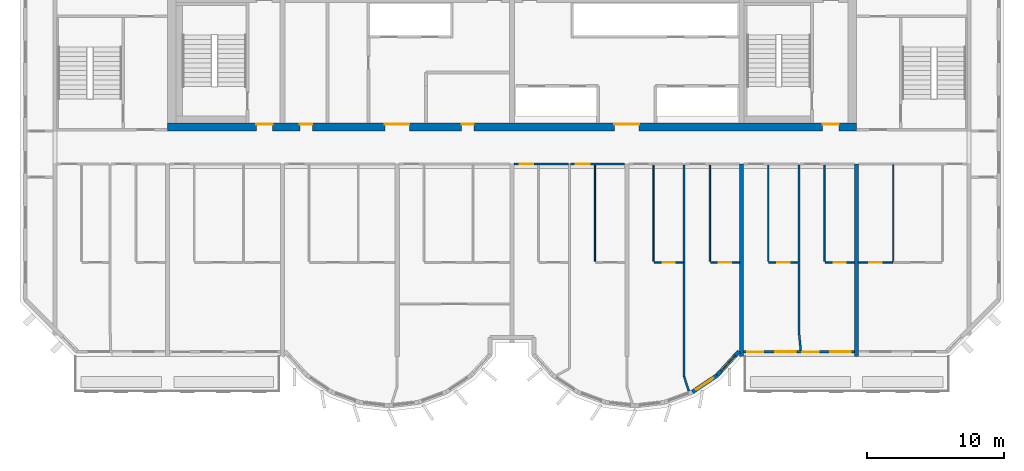
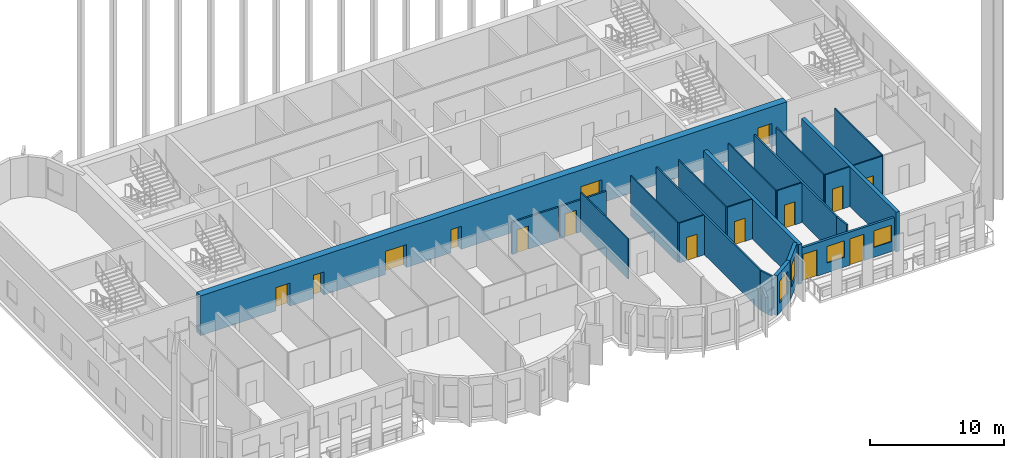
# One storey, part 5 of 13: 23 walls, 15 doors, 4 windows, 19 openings.
"""IFC4 building model written with IfcOpenShell, lengths in metres."""

from ifc_helpers import new_model, si_unit, direction, frame, frame_2d, origin, place, context, subcontext, project, spatial, rectangle, extrude, source, transform, mapped, material, layer, layer_set, type_object, element, fill, save


model = new_model("IFC4")

# Units and contexts
model_context = context("Model", 3, precision=1e-05, world=origin(), true_north=direction((0.0, 1.0)))
body_context = subcontext(model_context, "Body", "Model", "MODEL_VIEW")
ifc_project = project(units=[si_unit("LENGTHUNIT", "METRE"), si_unit("AREAUNIT", "SQUARE_METRE"), si_unit("VOLUMEUNIT", "CUBIC_METRE"), si_unit("PLANEANGLEUNIT", "RADIAN"), si_unit("MASSUNIT", "GRAM", prefix="KILO")], contexts=[model_context])

# Site, building, storey
site_placement = place(None, origin())
site = spatial("IfcSite", under=ifc_project, at=site_placement, CompositionType="ELEMENT")
building_placement = place(site_placement, origin())
building = spatial("IfcBuilding", under=site, at=building_placement, Name="Vanashikhar Sky Hotel", CompositionType="ELEMENT")
storey_placement = place(building_placement, frame((0.0, 0.0, 214.0)))
storey = spatial("IfcBuildingStorey", under=building, at=storey_placement, Name="L51", CompositionType="ELEMENT", Elevation=214.0)

# Wall, openings, doors
ifc_material_1 = material(Name="Concrete M60", Category="concrete")
ifc_layer_1 = layer(ifc_material_1, 0.60009765625)
ifc_layer_set_1 = layer_set([ifc_layer_1], Name="RC core shell wall 600 Concrete M60")
wall_type_1 = type_object("IfcWallType", Name="RC core shell wall 600 Concrete M60", PredefinedType="SHEAR", material=ifc_layer_set_1)
shared_shape_1 = source(origin(), body_context, "Body", "SweptSolid", [
    extrude(rectangle(XDim=50.400146484375, YDim=0.60009765625, at=frame_2d((25.2001953125, 0.0))), origin(), (0.0, 0.0, 1.0), 3.6201171875),
])
wall_1_placement = place(storey_placement, frame((25.199951171875, 22.300048828125, 0.0), z_axis=(0.0, 0.0, 1.0), x_axis=(1.0, 0.0, 0.0)))
wall_1 = element("IfcWall", 1, at=wall_1_placement, inside=storey, type_object=wall_type_1, Name="KW-L51-KS", PredefinedType="SHEAR", context=body_context, shape_type="MappedRepresentation", body=[
    mapped(shared_shape_1, transform((0.0, 0.0, 0.0), scale=1.0)),
])
shared_shape_2 = source(origin(), body_context, "Body", "SweptSolid", [
    extrude(rectangle(XDim=1.800048828125, YDim=2.10009765625, at=frame_2d((0.89990234375, 1.050048828125))), frame((0.0, 0.31005859375, 0.0), z_axis=(0.0, -1.0, 0.0), x_axis=(1.0, 0.0, 0.0)), (0.0, 0.0, 1.0), 0.6201171875),
])
opening_1_placement = place(wall_1_placement, frame((15.89990234375, 0.0, 0.0)))
opening_1 = element("IfcOpeningElement", 2, at=opening_1_placement, cuts=wall_1, Name="Opening DC-3-A", PredefinedType="OPENING", context=body_context, shape_type="MappedRepresentation", body=[
    mapped(shared_shape_2, transform((0.0, 0.0, 0.0), scale=1.0)),
])
shared_shape_3 = source(origin(), body_context, "Body", "SweptSolid", [
    extrude(rectangle(XDim=0.89990234375, YDim=2.10009765625, at=frame_2d((0.449951171875, 1.050048828125))), frame((0.0, 0.31005859375, 0.0), z_axis=(0.0, -1.0, 0.0), x_axis=(1.0, 0.0, 0.0)), (0.0, 0.0, 1.0), 0.6201171875),
])
opening_2_placement = place(wall_1_placement, frame((9.68701171875, 0.0, 0.0)))
opening_2 = element("IfcOpeningElement", 3, at=opening_2_placement, cuts=wall_1, Name="Opening DC-4-A", PredefinedType="OPENING", context=body_context, shape_type="MappedRepresentation", body=[
    mapped(shared_shape_3, transform((0.0, 0.0, 0.0), scale=1.0)),
])
opening_3_placement = place(wall_1_placement, frame((21.512939453125, 0.0, 0.0)))
opening_3 = element("IfcOpeningElement", 4, at=opening_3_placement, cuts=wall_1, Name="Opening DC-4-A", PredefinedType="OPENING", context=body_context, shape_type="MappedRepresentation", body=[
    mapped(shared_shape_3, transform((0.0, 0.0, 0.0), scale=1.0)),
])
opening_4_placement = place(wall_1_placement, frame((32.699951171875, 0.0, 0.0)))
opening_4 = element("IfcOpeningElement", 5, at=opening_4_placement, cuts=wall_1, Name="Opening DC-3-A", PredefinedType="OPENING", context=body_context, shape_type="MappedRepresentation", body=[
    mapped(shared_shape_2, transform((0.0, 0.0, 0.0), scale=1.0)),
])
shared_shape_4 = source(origin(), body_context, "Body", "SweptSolid", [
    extrude(rectangle(XDim=1.199951171875, YDim=2.10009765625, at=frame_2d((0.60009765625, 1.050048828125))), frame((0.0, 0.31005859375, 0.0), z_axis=(0.0, -1.0, 0.0), x_axis=(1.0, 0.0, 0.0)), (0.0, 0.0, 1.0), 0.6201171875),
])
opening_5_placement = place(wall_1_placement, frame((6.488037109375, 0.0, 0.0)))
opening_5 = element("IfcOpeningElement", 6, at=opening_5_placement, cuts=wall_1, Name="Opening DC-2", PredefinedType="OPENING", context=body_context, shape_type="MappedRepresentation", body=[
    mapped(shared_shape_4, transform((0.0, 0.0, 0.0), scale=1.0)),
])
opening_6_placement = place(wall_1_placement, frame((47.925048828125, 0.0, 0.0)))
opening_6 = element("IfcOpeningElement", 7, at=opening_6_placement, cuts=wall_1, Name="Opening DC-2", PredefinedType="OPENING", context=body_context, shape_type="MappedRepresentation", body=[
    mapped(shared_shape_4, transform((0.0, 0.0, 0.0), scale=1.0)),
])
ifc_material_2 = material(Name="Steel", Category="steel")
door_type_1 = type_object("IfcDoorType", Name="Firefighting lobby door 1200 FD120", OperationType="NOTDEFINED", PredefinedType="DOOR", material=ifc_material_2)
shared_shape_5 = source(origin(), body_context, "Body", "SweptSolid", [
    extrude(rectangle(XDim=1.199951171875, YDim=2.10009765625, at=frame_2d((0.60009765625, 1.050048828125))), frame((0.0, 0.22509765625, 0.0), z_axis=(0.0, -1.0, 0.0), x_axis=(1.0, 0.0, 0.0)), (0.0, 0.0, 1.0), 0.050048828125),
])
door_1_placement = place(opening_5_placement, origin())
door_1 = element("IfcDoor", 8, at=door_1_placement, inside=storey, type_object=door_type_1, Name="Firefighting lobby door 1200 FD120", OperationType="SINGLE_SWING_LEFT", OverallHeight=2.10009765625, OverallWidth=1.199951171875, PredefinedType="DOOR", context=body_context, shape_type="MappedRepresentation", body=[
    mapped(shared_shape_5, transform((0.0, 0.0, 0.0), scale=1.0)),
])
fill(opening_5, door_1)
door_2_placement = place(opening_6_placement, origin())
door_2 = element("IfcDoor", 9, at=door_2_placement, inside=storey, type_object=door_type_1, Name="Firefighting lobby door 1200 FD120", OperationType="SINGLE_SWING_LEFT", OverallHeight=2.10009765625, OverallWidth=1.199951171875, PredefinedType="DOOR", context=body_context, shape_type="MappedRepresentation", body=[
    mapped(shared_shape_5, transform((0.0, 0.0, 0.0), scale=1.0)),
])
fill(opening_6, door_2)
door_type_2 = type_object("IfcDoorType", Name="Service door 900 FD60", OperationType="NOTDEFINED", PredefinedType="DOOR", material=ifc_material_2)
shared_shape_6 = source(origin(), body_context, "Body", "SweptSolid", [
    extrude(rectangle(XDim=0.89990234375, YDim=2.10009765625, at=frame_2d((0.449951171875, 1.050048828125))), frame((0.0, 0.22509765625, 0.0), z_axis=(0.0, -1.0, 0.0), x_axis=(1.0, 0.0, 0.0)), (0.0, 0.0, 1.0), 0.050048828125),
])
door_3_placement = place(opening_2_placement, origin())
door_3 = element("IfcDoor", 10, at=door_3_placement, inside=storey, type_object=door_type_2, Name="Service door 900 FD60", OperationType="SINGLE_SWING_RIGHT", OverallHeight=2.10009765625, OverallWidth=0.89990234375, PredefinedType="DOOR", context=body_context, shape_type="MappedRepresentation", body=[
    mapped(shared_shape_6, transform((0.0, 0.0, 0.0), scale=1.0)),
])
fill(opening_2, door_3)
door_4_placement = place(opening_3_placement, origin())
door_4 = element("IfcDoor", 11, at=door_4_placement, inside=storey, type_object=door_type_2, Name="Service door 900 FD60", OperationType="SINGLE_SWING_LEFT", OverallHeight=2.10009765625, OverallWidth=0.89990234375, PredefinedType="DOOR", context=body_context, shape_type="MappedRepresentation", body=[
    mapped(shared_shape_6, transform((0.0, 0.0, 0.0), scale=1.0)),
])
fill(opening_3, door_4)
ifc_material_3 = material(Name="Glass", Category="glass")
door_type_3 = type_object("IfcDoorType", Name="Lift lobby entrance door 1800 FD30S", OperationType="NOTDEFINED", PredefinedType="DOOR", material=ifc_material_3)
shared_shape_7 = source(origin(), body_context, "Body", "SweptSolid", [
    extrude(rectangle(XDim=1.800048828125, YDim=2.10009765625, at=frame_2d((0.89990234375, 1.050048828125))), frame((0.0, 0.22509765625, 0.0), z_axis=(0.0, -1.0, 0.0), x_axis=(1.0, 0.0, 0.0)), (0.0, 0.0, 1.0), 0.050048828125),
])
door_5_placement = place(opening_1_placement, origin())
door_5 = element("IfcDoor", 12, at=door_5_placement, inside=storey, type_object=door_type_3, Name="Lift lobby entrance door 1800 FD30S", OperationType="DOUBLE_DOOR_SINGLE_SWING", OverallHeight=2.10009765625, OverallWidth=1.800048828125, PredefinedType="DOOR", context=body_context, shape_type="MappedRepresentation", body=[
    mapped(shared_shape_7, transform((0.0, 0.0, 0.0), scale=1.0)),
])
fill(opening_1, door_5)
door_6_placement = place(opening_4_placement, origin())
door_6 = element("IfcDoor", 13, at=door_6_placement, inside=storey, type_object=door_type_3, Name="Lift lobby entrance door 1800 FD30S", OperationType="DOUBLE_DOOR_SINGLE_SWING", OverallHeight=2.10009765625, OverallWidth=1.800048828125, PredefinedType="DOOR", context=body_context, shape_type="MappedRepresentation", body=[
    mapped(shared_shape_7, transform((0.0, 0.0, 0.0), scale=1.0)),
])
fill(opening_4, door_6)

# Walls
ifc_layer_2 = layer(ifc_material_1, 0.300048828125)
ifc_layer_set_2 = layer_set([ifc_layer_2], Name="RC shear wall 300 Concrete M60")
wall_type_2 = type_object("IfcWallType", Name="RC shear wall 300 Concrete M60", PredefinedType="SHEAR", material=ifc_layer_set_2)
shared_shape_8 = source(origin(), body_context, "Body", "SweptSolid", [
    extrude(rectangle(XDim=14.10009765625, YDim=0.300048828125, at=frame_2d((7.050048828125, 0.0))), origin(), (0.0, 0.0, 1.0), 3.6201171875),
])
for number, where, z_axis, x_axis, name in (
    (14, (67.199951171875, 5.5, 0.0), (0.0, 0.0, 1.0), (0.0, 1.0, 0.0), "CW-L51-XW09-1"),
    (15, (75.60009765625, 5.5, 0.0), (0.0, 0.0, 1.0), (0.0, 1.0, 0.0), "CW-L51-XW10-1"),
):
    element("IfcWall", number, at=place(storey_placement, frame(where, z_axis=z_axis, x_axis=x_axis)), inside=storey, type_object=wall_type_2, Name=name, PredefinedType="SHEAR", context=body_context, shape_type="MappedRepresentation", body=[
        mapped(shared_shape_8, transform((0.0, 0.0, 0.0), scale=1.0)),
    ])

# Wall, openings, windows, doors
ifc_material_4 = material(Name="Concrete M50", Category="concrete")
ifc_layer_3 = layer(ifc_material_4, 0.199951171875)
ifc_layer_set_3 = layer_set([ifc_layer_3], Name="Front window wall 200")
wall_type_3 = type_object("IfcWallType", Name="Front window wall 200", PredefinedType="SOLIDWALL", material=ifc_layer_set_3)
shared_shape_9 = source(origin(), body_context, "Body", "SweptSolid", [
    extrude(rectangle(XDim=8.099853515625, YDim=0.199951171875, at=frame_2d((4.0498046875, 0.0))), origin(), (0.0, 0.0, 1.0), 3.02001953125),
])
wall_2_placement = place(storey_placement, frame((67.35009765625, 5.85009765625, 0.0), z_axis=(0.0, 0.0, 1.0), x_axis=(1.0, 0.0, 0.0)))
wall_2 = element("IfcWall", 16, at=wall_2_placement, inside=storey, type_object=wall_type_3, Name="Front window wall", PredefinedType="SOLIDWALL", context=body_context, shape_type="MappedRepresentation", body=[
    mapped(shared_shape_9, transform((0.0, 0.0, 0.0), scale=1.0)),
])
shared_shape_10 = source(origin(), body_context, "Body", "SweptSolid", [
    extrude(rectangle(XDim=1.199951171875, YDim=2.39990234375, at=frame_2d((0.60009765625, 1.199951171875))), frame((0.0, 0.10986328125, 0.0), z_axis=(0.0, -1.0, 0.0), x_axis=(1.0, 0.0, 0.0)), (0.0, 0.0, 1.0), 0.219970703125),
])
opening_7_placement = place(wall_2_placement, frame((0.25, 0.0, 0.0)))
opening_7 = element("IfcOpeningElement", 17, at=opening_7_placement, cuts=wall_2, Name="Opening BD-03", PredefinedType="OPENING", context=body_context, shape_type="MappedRepresentation", body=[
    mapped(shared_shape_10, transform((0.0, 0.0, 0.0), scale=1.0)),
])
shared_shape_11 = source(origin(), body_context, "Body", "SweptSolid", [
    extrude(rectangle(XDim=1.5, YDim=1.5, at=frame_2d((0.75, 0.75))), frame((0.0, 0.10986328125, 0.0), z_axis=(0.0, -1.0, 0.0), x_axis=(1.0, 0.0, 0.0)), (0.0, 0.0, 1.0), 0.219970703125),
])
opening_8_placement = place(wall_2_placement, frame((2.300048828125, 0.0, 0.89990234375)))
opening_8 = element("IfcOpeningElement", 18, at=opening_8_placement, cuts=wall_2, Name="Opening WN-1", PredefinedType="OPENING", context=body_context, shape_type="MappedRepresentation", body=[
    mapped(shared_shape_11, transform((0.0, 0.0, 0.0), scale=1.0)),
])
opening_9_placement = place(wall_2_placement, frame((4.300048828125, 0.0, 0.0)))
opening_9 = element("IfcOpeningElement", 19, at=opening_9_placement, cuts=wall_2, Name="Opening BD-04", PredefinedType="OPENING", context=body_context, shape_type="MappedRepresentation", body=[
    mapped(shared_shape_10, transform((0.0, 0.0, 0.0), scale=1.0)),
])
opening_10_placement = place(wall_2_placement, frame((6.35009765625, 0.0, 0.89990234375)))
opening_10 = element("IfcOpeningElement", 20, at=opening_10_placement, cuts=wall_2, Name="Opening WN-1", PredefinedType="OPENING", context=body_context, shape_type="MappedRepresentation", body=[
    mapped(shared_shape_11, transform((0.0, 0.0, 0.0), scale=1.0)),
])
window_type_1 = type_object("IfcWindowType", Name="Window 1500 x 1500", PartitioningType="SINGLE_PANEL", PredefinedType="WINDOW", material=ifc_material_3)
shared_shape_12 = source(origin(), body_context, "Body", "SweptSolid", [
    extrude(rectangle(XDim=1.5, YDim=1.5, at=frame_2d((0.75, 0.75))), frame((0.0, 0.030029296875, 0.0), z_axis=(0.0, -1.0, 0.0), x_axis=(1.0, 0.0, 0.0)), (0.0, 0.0, 1.0), 0.06005859375),
])
window_1_placement = place(opening_8_placement, origin())
window_1 = element("IfcWindow", 21, at=window_1_placement, inside=storey, type_object=window_type_1, Name="Window WN-1", OverallHeight=1.5, OverallWidth=1.5, PartitioningType="SINGLE_PANEL", PredefinedType="WINDOW", context=body_context, shape_type="MappedRepresentation", body=[
    mapped(shared_shape_12, transform((0.0, 0.0, 0.0), scale=1.0)),
])
fill(opening_8, window_1)
window_2_placement = place(opening_10_placement, origin())
window_2 = element("IfcWindow", 22, at=window_2_placement, inside=storey, type_object=window_type_1, Name="Window WN-1", OverallHeight=1.5, OverallWidth=1.5, PartitioningType="SINGLE_PANEL", PredefinedType="WINDOW", context=body_context, shape_type="MappedRepresentation", body=[
    mapped(shared_shape_12, transform((0.0, 0.0, 0.0), scale=1.0)),
])
fill(opening_10, window_2)
ifc_material_5 = material(Name="Aluminium", Category="aluminium")
door_type_4 = type_object("IfcDoorType", Name="Balcony sliding door 1200 x 2400", OperationType="NOTDEFINED", PredefinedType="DOOR", material=ifc_material_5)
shared_shape_13 = source(origin(), body_context, "Body", "SweptSolid", [
    extrude(rectangle(XDim=1.199951171875, YDim=2.39990234375, at=frame_2d((0.60009765625, 1.199951171875))), frame((0.0, 0.02490234375, 0.0), z_axis=(0.0, -1.0, 0.0), x_axis=(1.0, 0.0, 0.0)), (0.0, 0.0, 1.0), 0.050048828125),
])
door_7_placement = place(opening_7_placement, origin())
door_7 = element("IfcDoor", 23, at=door_7_placement, inside=storey, type_object=door_type_4, Name="Balcony sliding door", OperationType="SLIDING_TO_LEFT", OverallHeight=2.39990234375, OverallWidth=1.199951171875, PredefinedType="DOOR", context=body_context, shape_type="MappedRepresentation", body=[
    mapped(shared_shape_13, transform((0.0, 0.0, 0.0), scale=1.0)),
])
fill(opening_7, door_7)
door_8_placement = place(opening_9_placement, origin())
door_8 = element("IfcDoor", 24, at=door_8_placement, inside=storey, type_object=door_type_4, Name="Balcony sliding door", OperationType="SLIDING_TO_RIGHT", OverallHeight=2.39990234375, OverallWidth=1.199951171875, PredefinedType="DOOR", context=body_context, shape_type="MappedRepresentation", body=[
    mapped(shared_shape_13, transform((0.0, 0.0, 0.0), scale=1.0)),
])
fill(opening_9, door_8)

# Wall, opening, window
ifc_layer_4 = layer(ifc_material_4, 0.300048828125)
ifc_layer_set_4 = layer_set([ifc_layer_4], Name="Lobe wall 300")
wall_type_4 = type_object("IfcWallType", Name="Lobe wall 300", PredefinedType="SOLIDWALL", material=ifc_layer_set_4)
shared_shape_14 = source(origin(), body_context, "Body", "SweptSolid", [
    extrude(rectangle(XDim=2.398193359375, YDim=0.300048828125, at=frame_2d((1.19921875, 0.0))), origin(), (0.0, 0.0, 1.0), 3.6201171875),
])
wall_3_placement = place(storey_placement, frame((65.404296875, 4.13134765625, 0.0), z_axis=(0.0, 0.0, 1.0), x_axis=(0.675374189419, 0.737475222815, 0.0)))
wall_3 = element("IfcWall", 25, at=wall_3_placement, inside=storey, type_object=wall_type_4, Name="Lobe wall", PredefinedType="SOLIDWALL", context=body_context, shape_type="MappedRepresentation", body=[
    mapped(shared_shape_14, transform((0.0, 0.0, 0.0), scale=1.0)),
])
shared_shape_15 = source(origin(), body_context, "Body", "SweptSolid", [
    extrude(rectangle(XDim=1.5, YDim=2.0, at=frame_2d((0.75, 1.0))), frame((0.0, 0.16015625, 0.0), z_axis=(0.0, -1.0, 0.0), x_axis=(1.0, 0.0, 0.0)), (0.0, 0.0, 1.0), 0.320068359375),
])
opening_11_placement = place(wall_3_placement, frame((0.44921875, 0.0, 0.89990234375)))
opening_11 = element("IfcOpeningElement", 26, at=opening_11_placement, cuts=wall_3, Name="Opening WN-2", PredefinedType="OPENING", context=body_context, shape_type="MappedRepresentation", body=[
    mapped(shared_shape_15, transform((0.0, 0.0, 0.0), scale=1.0)),
])
window_type_2 = type_object("IfcWindowType", Name="Lobe window 1500 x 2000", PartitioningType="SINGLE_PANEL", PredefinedType="WINDOW", material=ifc_material_3)
shared_shape_16 = source(origin(), body_context, "Body", "SweptSolid", [
    extrude(rectangle(XDim=1.5, YDim=2.0, at=frame_2d((0.75, 1.0))), frame((0.0, 0.030029296875, 0.0), z_axis=(0.0, -1.0, 0.0), x_axis=(1.0, 0.0, 0.0)), (0.0, 0.0, 1.0), 0.06005859375),
])
window_3_placement = place(opening_11_placement, origin())
window_3 = element("IfcWindow", 27, at=window_3_placement, inside=storey, type_object=window_type_2, Name="Window WN-2", OverallHeight=2.0, OverallWidth=1.5, PartitioningType="SINGLE_PANEL", PredefinedType="WINDOW", context=body_context, shape_type="MappedRepresentation", body=[
    mapped(shared_shape_16, transform((0.0, 0.0, 0.0), scale=1.0)),
])
fill(opening_11, window_3)

shared_shape_17 = source(origin(), body_context, "Body", "SweptSolid", [
    extrude(rectangle(XDim=2.17578125, YDim=0.300048828125, at=frame_2d((1.087890625, 0.0))), origin(), (0.0, 0.0, 1.0), 3.6201171875),
])
wall_4_placement = place(storey_placement, frame((63.59912109375, 2.91650390625, 0.0), z_axis=(0.0, 0.0, 1.0), x_axis=(0.829625727223, 0.558319937607, 0.0)))
wall_4 = element("IfcWall", 28, at=wall_4_placement, inside=storey, type_object=wall_type_4, Name="Lobe wall", PredefinedType="SOLIDWALL", context=body_context, shape_type="MappedRepresentation", body=[
    mapped(shared_shape_17, transform((0.0, 0.0, 0.0), scale=1.0)),
])
opening_12_placement = place(wall_4_placement, frame((0.337890625, 0.0, 0.89990234375)))
opening_12 = element("IfcOpeningElement", 29, at=opening_12_placement, cuts=wall_4, Name="Opening WN-2", PredefinedType="OPENING", context=body_context, shape_type="MappedRepresentation", body=[
    mapped(shared_shape_15, transform((0.0, 0.0, 0.0), scale=1.0)),
])
window_4_placement = place(opening_12_placement, origin())
window_4 = element("IfcWindow", 30, at=window_4_placement, inside=storey, type_object=window_type_2, Name="Window WN-2", OverallHeight=2.0, OverallWidth=1.5, PartitioningType="SINGLE_PANEL", PredefinedType="WINDOW", context=body_context, shape_type="MappedRepresentation", body=[
    mapped(shared_shape_16, transform((0.0, 0.0, 0.0), scale=1.0)),
])
fill(opening_12, window_4)

# Walls
ifc_material_6 = material(Name="Gypsum plasterboard partition")
ifc_layer_5 = layer(ifc_material_6, 0.10009765625)
ifc_layer_set_5 = layer_set([ifc_layer_5], Name="Wet room partition 100")
wall_type_5 = type_object("IfcWallType", Name="Wet room partition 100", PredefinedType="PARTITIONING", material=ifc_layer_set_5)
shared_shape_18 = source(origin(), body_context, "Body", "SweptSolid", [
    extrude(rectangle(XDim=7.0498046875, YDim=0.10009765625, at=frame_2d((3.52490234375, 0.0))), origin(), (0.0, 0.0, 1.0), 3.6201171875),
])
for number, where, z_axis, x_axis, name in (
    (31, (56.47509765625, 12.47509765625, 0.0), (0.0, 0.0, 1.0), (0.0, 1.0, 0.0), "W-L51-PW027"),
    (32, (60.75, 12.47509765625, 0.0), (0.0, 0.0, 1.0), (0.0, 1.0, 0.0), "W-L51-PW031"),
    (33, (64.875, 12.47509765625, 0.0), (0.0, 0.0, 1.0), (0.0, 1.0, 0.0), "W-L51-PW034"),
    (34, (69.14990234375, 12.47509765625, 0.0), (0.0, 0.0, 1.0), (0.0, 1.0, 0.0), "W-L51-PW038"),
    (35, (73.27490234375, 12.47509765625, 0.0), (0.0, 0.0, 1.0), (0.0, 1.0, 0.0), "W-L51-PW041"),
    (36, (78.300048828125, 12.47509765625, 0.0), (0.0, 0.0, 1.0), (0.0, 1.0, 0.0), "W-L51-PW046"),
):
    element("IfcWall", number, at=place(storey_placement, frame(where, z_axis=z_axis, x_axis=x_axis)), inside=storey, type_object=wall_type_5, Name=name, PredefinedType="PARTITIONING", context=body_context, shape_type="MappedRepresentation", body=[
        mapped(shared_shape_18, transform((0.0, 0.0, 0.0), scale=1.0)),
    ])

# Wall, opening, door
shared_shape_19 = source(origin(), body_context, "Body", "SweptSolid", [
    extrude(rectangle(XDim=2.125, YDim=0.10009765625, at=frame_2d((1.0625, 0.0))), origin(), (0.0, 0.0, 1.0), 3.6201171875),
])
wall_5_placement = place(storey_placement, frame((60.800048828125, 12.39990234375, 0.0), z_axis=(0.0, 0.0, 1.0), x_axis=(1.0, 0.0, 0.0)))
wall_5 = element("IfcWall", 37, at=wall_5_placement, inside=storey, type_object=wall_type_5, Name="W-L51-PW032", PredefinedType="PARTITIONING", context=body_context, shape_type="MappedRepresentation", body=[
    mapped(shared_shape_19, transform((0.0, 0.0, 0.0), scale=1.0)),
])
shared_shape_20 = source(origin(), body_context, "Body", "SweptSolid", [
    extrude(rectangle(XDim=0.89990234375, YDim=2.10009765625, at=frame_2d((0.449951171875, 1.050048828125))), frame((0.0, 0.06005859375, 0.0), z_axis=(0.0, -1.0, 0.0), x_axis=(1.0, 0.0, 0.0)), (0.0, 0.0, 1.0), 0.1201171875),
])
opening_13_placement = place(wall_5_placement, frame((0.612060546875, 0.0, 0.0)))
opening_13 = element("IfcOpeningElement", 38, at=opening_13_placement, cuts=wall_5, Name="Opening D-02", PredefinedType="OPENING", context=body_context, shape_type="MappedRepresentation", body=[
    mapped(shared_shape_20, transform((0.0, 0.0, 0.0), scale=1.0)),
])
ifc_material_7 = material(Name="Timber door", Category="wood")
door_type_5 = type_object("IfcDoorType", Name="Internal door 900", OperationType="NOTDEFINED", PredefinedType="DOOR", material=ifc_material_7)
shared_shape_21 = source(origin(), body_context, "Body", "SweptSolid", [
    extrude(rectangle(XDim=0.89990234375, YDim=2.10009765625, at=frame_2d((0.449951171875, 1.050048828125))), frame((0.0, 0.02490234375, 0.0), z_axis=(0.0, -1.0, 0.0), x_axis=(1.0, 0.0, 0.0)), (0.0, 0.0, 1.0), 0.050048828125),
])
door_9_placement = place(opening_13_placement, origin())
door_9 = element("IfcDoor", 39, at=door_9_placement, inside=storey, type_object=door_type_5, Name="D-L51-019", OperationType="SINGLE_SWING_LEFT", OverallHeight=2.10009765625, OverallWidth=0.89990234375, PredefinedType="DOOR", context=body_context, shape_type="MappedRepresentation", body=[
    mapped(shared_shape_21, transform((0.0, 0.0, 0.0), scale=1.0)),
])
fill(opening_13, door_9)

wall_6_placement = place(storey_placement, frame((64.925048828125, 12.39990234375, 0.0), z_axis=(0.0, 0.0, 1.0), x_axis=(1.0, 0.0, 0.0)))
wall_6 = element("IfcWall", 40, at=wall_6_placement, inside=storey, type_object=wall_type_5, Name="W-L51-PW035", PredefinedType="PARTITIONING", context=body_context, shape_type="MappedRepresentation", body=[
    mapped(shared_shape_19, transform((0.0, 0.0, 0.0), scale=1.0)),
])
opening_14_placement = place(wall_6_placement, frame((0.612060546875, 0.0, 0.0)))
opening_14 = element("IfcOpeningElement", 41, at=opening_14_placement, cuts=wall_6, Name="Opening D-02", PredefinedType="OPENING", context=body_context, shape_type="MappedRepresentation", body=[
    mapped(shared_shape_20, transform((0.0, 0.0, 0.0), scale=1.0)),
])
door_10_placement = place(opening_14_placement, origin())
door_10 = element("IfcDoor", 42, at=door_10_placement, inside=storey, type_object=door_type_5, Name="D-L51-021", OperationType="SINGLE_SWING_LEFT", OverallHeight=2.10009765625, OverallWidth=0.89990234375, PredefinedType="DOOR", context=body_context, shape_type="MappedRepresentation", body=[
    mapped(shared_shape_21, transform((0.0, 0.0, 0.0), scale=1.0)),
])
fill(opening_14, door_10)

wall_7_placement = place(storey_placement, frame((69.199951171875, 12.39990234375, 0.0), z_axis=(0.0, 0.0, 1.0), x_axis=(1.0, 0.0, 0.0)))
wall_7 = element("IfcWall", 43, at=wall_7_placement, inside=storey, type_object=wall_type_5, Name="W-L51-PW039", PredefinedType="PARTITIONING", context=body_context, shape_type="MappedRepresentation", body=[
    mapped(shared_shape_19, transform((0.0, 0.0, 0.0), scale=1.0)),
])
opening_15_placement = place(wall_7_placement, frame((0.612060546875, 0.0, 0.0)))
opening_15 = element("IfcOpeningElement", 44, at=opening_15_placement, cuts=wall_7, Name="Opening D-02", PredefinedType="OPENING", context=body_context, shape_type="MappedRepresentation", body=[
    mapped(shared_shape_20, transform((0.0, 0.0, 0.0), scale=1.0)),
])
door_11_placement = place(opening_15_placement, origin())
door_11 = element("IfcDoor", 45, at=door_11_placement, inside=storey, type_object=door_type_5, Name="D-L51-023", OperationType="SINGLE_SWING_LEFT", OverallHeight=2.10009765625, OverallWidth=0.89990234375, PredefinedType="DOOR", context=body_context, shape_type="MappedRepresentation", body=[
    mapped(shared_shape_21, transform((0.0, 0.0, 0.0), scale=1.0)),
])
fill(opening_15, door_11)

wall_8_placement = place(storey_placement, frame((73.324951171875, 12.39990234375, 0.0), z_axis=(0.0, 0.0, 1.0), x_axis=(1.0, 0.0, 0.0)))
wall_8 = element("IfcWall", 46, at=wall_8_placement, inside=storey, type_object=wall_type_5, Name="W-L51-PW042", PredefinedType="PARTITIONING", context=body_context, shape_type="MappedRepresentation", body=[
    mapped(shared_shape_19, transform((0.0, 0.0, 0.0), scale=1.0)),
])
opening_16_placement = place(wall_8_placement, frame((0.612060546875, 0.0, 0.0)))
opening_16 = element("IfcOpeningElement", 47, at=opening_16_placement, cuts=wall_8, Name="Opening D-02", PredefinedType="OPENING", context=body_context, shape_type="MappedRepresentation", body=[
    mapped(shared_shape_20, transform((0.0, 0.0, 0.0), scale=1.0)),
])
door_12_placement = place(opening_16_placement, origin())
door_12 = element("IfcDoor", 48, at=door_12_placement, inside=storey, type_object=door_type_5, Name="D-L51-025", OperationType="SINGLE_SWING_LEFT", OverallHeight=2.10009765625, OverallWidth=0.89990234375, PredefinedType="DOOR", context=body_context, shape_type="MappedRepresentation", body=[
    mapped(shared_shape_21, transform((0.0, 0.0, 0.0), scale=1.0)),
])
fill(opening_16, door_12)

# Wall
ifc_layer_6 = layer(ifc_material_6, 0.14990234375)
ifc_layer_set_6 = layer_set([ifc_layer_6], Name="Corridor and demising partition 150")
wall_type_6 = type_object("IfcWallType", Name="Corridor and demising partition 150", PredefinedType="PARTITIONING", material=ifc_layer_set_6)
shared_shape_22 = source(origin(), body_context, "Body", "SweptSolid", [
    extrude(rectangle(XDim=12.27490234375, YDim=0.14990234375, at=frame_2d((6.137451171875, 0.0))), origin(), (0.0, 0.0, 1.0), 3.6201171875),
])
wall_9_placement = place(storey_placement, frame((71.39990234375, 7.25, 0.0), z_axis=(0.0, 0.0, 1.0), x_axis=(0.0, 1.0, 0.0)))
element("IfcWall", 49, at=wall_9_placement, inside=storey, type_object=wall_type_6, Name="W-L51-PW044", PredefinedType="PARTITIONING", context=body_context, shape_type="MappedRepresentation", body=[
    mapped(shared_shape_22, transform((0.0, 0.0, 0.0), scale=1.0)),
])

# Wall, opening, door
shared_shape_23 = source(origin(), body_context, "Body", "SweptSolid", [
    extrude(rectangle(XDim=3.974853515625, YDim=0.14990234375, at=frame_2d((1.9873046875, 0.0))), origin(), (0.0, 0.0, 1.0), 2.919921875),
])
wall_10_placement = place(storey_placement, frame((50.550048828125, 19.60009765625, 0.0), z_axis=(0.0, 0.0, 1.0), x_axis=(1.0, 0.0, 0.0)))
wall_10 = element("IfcWall", 50, at=wall_10_placement, inside=storey, type_object=wall_type_6, Name="W-L51-PW026", PredefinedType="PARTITIONING", context=body_context, shape_type="MappedRepresentation", body=[
    mapped(shared_shape_23, transform((0.0, 0.0, 0.0), scale=1.0)),
])
shared_shape_24 = source(origin(), body_context, "Body", "SweptSolid", [
    extrude(rectangle(XDim=1.0, YDim=2.10009765625, at=frame_2d((0.5, 1.050048828125))), frame((0.0, 0.0849609375, 0.0), z_axis=(0.0, -1.0, 0.0), x_axis=(1.0, 0.0, 0.0)), (0.0, 0.0, 1.0), 0.169921875),
])
opening_17_placement = place(wall_10_placement, frame((0.39990234375, 0.0, 0.0)))
opening_17 = element("IfcOpeningElement", 51, at=opening_17_placement, cuts=wall_10, Name="Opening D-01", PredefinedType="OPENING", context=body_context, shape_type="MappedRepresentation", body=[
    mapped(shared_shape_24, transform((0.0, 0.0, 0.0), scale=1.0)),
])
ifc_material_8 = material(Name="Timber fire door", Category="wood")
door_type_6 = type_object("IfcDoorType", Name="Guest entry door 1000 FD30S", OperationType="NOTDEFINED", PredefinedType="DOOR", material=ifc_material_8)
shared_shape_25 = source(origin(), body_context, "Body", "SweptSolid", [
    extrude(rectangle(XDim=1.0, YDim=2.10009765625, at=frame_2d((0.5, 1.050048828125))), frame((0.0, 0.02490234375, 0.0), z_axis=(0.0, -1.0, 0.0), x_axis=(1.0, 0.0, 0.0)), (0.0, 0.0, 1.0), 0.050048828125),
])
door_13_placement = place(opening_17_placement, origin())
door_13 = element("IfcDoor", 52, at=door_13_placement, inside=storey, type_object=door_type_6, Name="D-L51-016", OperationType="SINGLE_SWING_LEFT", OverallHeight=2.10009765625, OverallWidth=1.0, PredefinedType="DOOR", context=body_context, shape_type="MappedRepresentation", body=[
    mapped(shared_shape_25, transform((0.0, 0.0, 0.0), scale=1.0)),
])
fill(opening_17, door_13)

wall_11_placement = place(storey_placement, frame((54.675048828125, 19.60009765625, 0.0), z_axis=(0.0, 0.0, 1.0), x_axis=(1.0, 0.0, 0.0)))
wall_11 = element("IfcWall", 53, at=wall_11_placement, inside=storey, type_object=wall_type_6, Name="W-L51-PW029", PredefinedType="PARTITIONING", context=body_context, shape_type="MappedRepresentation", body=[
    mapped(shared_shape_23, transform((0.0, 0.0, 0.0), scale=1.0)),
])
opening_18_placement = place(wall_11_placement, frame((0.39990234375, 0.0, 0.0)))
opening_18 = element("IfcOpeningElement", 54, at=opening_18_placement, cuts=wall_11, Name="Opening D-01", PredefinedType="OPENING", context=body_context, shape_type="MappedRepresentation", body=[
    mapped(shared_shape_24, transform((0.0, 0.0, 0.0), scale=1.0)),
])
door_14_placement = place(opening_18_placement, origin())
door_14 = element("IfcDoor", 55, at=door_14_placement, inside=storey, type_object=door_type_6, Name="D-L51-018", OperationType="SINGLE_SWING_LEFT", OverallHeight=2.10009765625, OverallWidth=1.0, PredefinedType="DOOR", context=body_context, shape_type="MappedRepresentation", body=[
    mapped(shared_shape_25, transform((0.0, 0.0, 0.0), scale=1.0)),
])
fill(opening_18, door_14)

# Wall
shared_shape_26 = source(origin(), body_context, "Body", "SweptSolid", [
    extrude(rectangle(XDim=15.497802734375, YDim=0.14990234375, at=frame_2d((7.7490234375, 0.0))), origin(), (0.0, 0.0, 1.0), 3.6201171875),
])
wall_12_placement = place(storey_placement, frame((63.0, 4.027099609375, 0.0), z_axis=(0.0, 0.0, 1.0), x_axis=(0.0, 1.0, 0.0)))
element("IfcWall", 56, at=wall_12_placement, inside=storey, type_object=wall_type_6, Name="W-L51-PW037", PredefinedType="PARTITIONING", context=body_context, shape_type="MappedRepresentation", body=[
    mapped(shared_shape_26, transform((0.0, 0.0, 0.0), scale=1.0)),
])

# Wall, opening, door
shared_shape_27 = source(origin(), body_context, "Body", "SweptSolid", [
    extrude(rectangle(XDim=2.5, YDim=0.10009765625, at=frame_2d((1.25, 0.0))), origin(), (0.0, 0.0, 1.0), 3.6201171875),
])
wall_13_placement = place(storey_placement, frame((75.75, 12.39990234375, 0.0), z_axis=(0.0, 0.0, 1.0), x_axis=(1.0, 0.0, 0.0)))
wall_13 = element("IfcWall", 57, at=wall_13_placement, inside=storey, type_object=wall_type_5, Name="W-L51-PW048", PredefinedType="PARTITIONING", context=body_context, shape_type="MappedRepresentation", body=[
    mapped(shared_shape_27, transform((0.0, 0.0, 0.0), scale=1.0)),
])
opening_19_placement = place(wall_13_placement, frame((0.800048828125, 0.0, 0.0)))
opening_19 = element("IfcOpeningElement", 58, at=opening_19_placement, cuts=wall_13, Name="Opening D-02", PredefinedType="OPENING", context=body_context, shape_type="MappedRepresentation", body=[
    mapped(shared_shape_20, transform((0.0, 0.0, 0.0), scale=1.0)),
])
door_15_placement = place(opening_19_placement, origin())
door_15 = element("IfcDoor", 59, at=door_15_placement, inside=storey, type_object=door_type_5, Name="D-L51-028", OperationType="SINGLE_SWING_RIGHT", OverallHeight=2.10009765625, OverallWidth=0.89990234375, PredefinedType="DOOR", context=body_context, shape_type="MappedRepresentation", body=[
    mapped(shared_shape_21, transform((0.0, 0.0, 0.0), scale=1.0)),
])
fill(opening_19, door_15)

# Walls
shared_shape_28 = source(origin(), body_context, "Body", "SweptSolid", [
    extrude(rectangle(XDim=1.100830078125, YDim=0.14990234375, at=frame_2d((0.55029296875, 0.0))), origin(), (0.0, 0.0, 1.0), 3.6201171875),
])
wall_14_placement = place(storey_placement, frame((63.343017578125, 2.98095703125, 0.0), z_axis=(0.0, 0.0, 1.0), x_axis=(-0.311567081539, 0.950224159712, 0.0)))
element("IfcWall", 60, at=wall_14_placement, inside=storey, type_object=wall_type_6, Name="W-L51-PW037B0", PredefinedType="PARTITIONING", context=body_context, shape_type="MappedRepresentation", body=[
    mapped(shared_shape_28, transform((0.0, 0.0, 0.0), scale=1.0)),
])
shared_shape_29 = source(origin(), body_context, "Body", "SweptSolid", [
    extrude(rectangle(XDim=1.306640625, YDim=0.14990234375, at=frame_2d((0.6533203125, 0.0))), origin(), (0.0, 0.0, 1.0), 3.6201171875),
])
wall_15_placement = place(storey_placement, frame((71.530029296875, 5.949951171875, 0.0), z_axis=(0.0, 0.0, 1.0), x_axis=(-0.099596223396, 0.99502793543, 0.0)))
element("IfcWall", 61, at=wall_15_placement, inside=storey, type_object=wall_type_6, Name="W-L51-PW044B0", PredefinedType="PARTITIONING", context=body_context, shape_type="MappedRepresentation", body=[
    mapped(shared_shape_29, transform((0.0, 0.0, 0.0), scale=1.0)),
])

save(model, "model.ifc")
